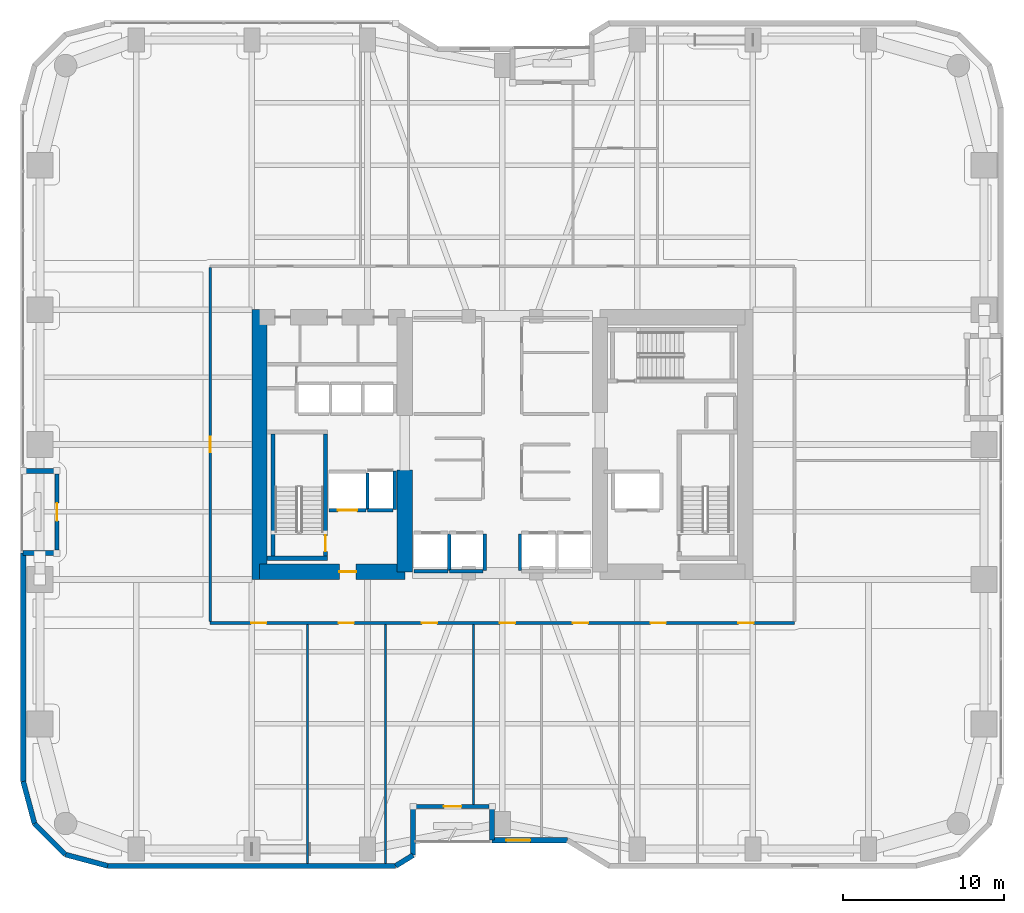
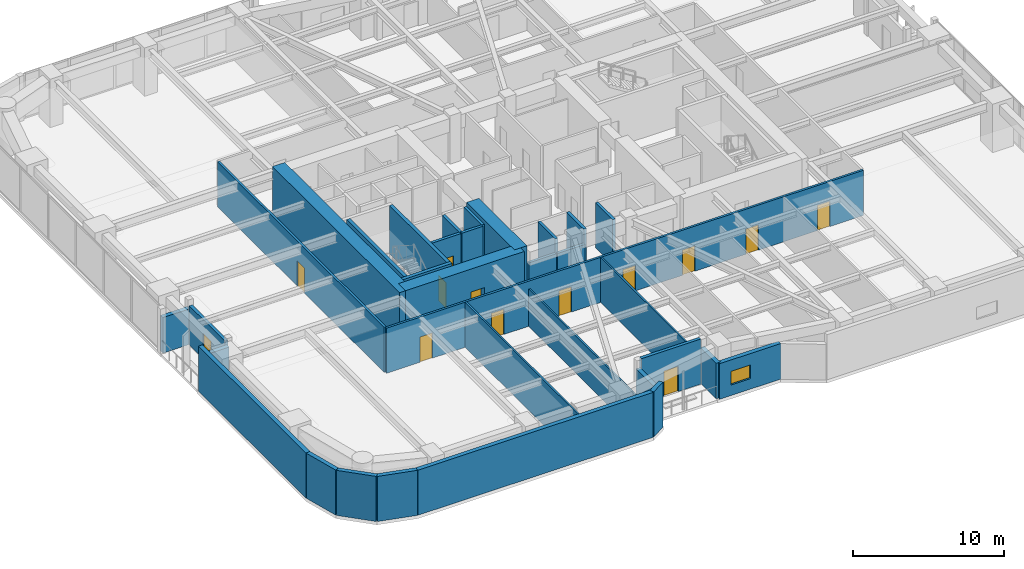
# One storey, part 22 of 29: 33 walls, 13 doors, 1 window, 14 openings.
"""IFC4 building model written with IfcOpenShell, lengths in metres."""

from ifc_helpers import new_model, si_unit, direction, frame, frame_2d, origin, place, context, subcontext, project, spatial, rectangle, extrude, material, layer, layer_set, type_object, element, fill, save


model = new_model("IFC4")

# Units and contexts
model_context = context("Model", 3, precision=1e-05, world=origin(), true_north=direction((0.0, 1.0)))
body_context = subcontext(model_context, "Body", "Model", "MODEL_VIEW")
ifc_project = project(units=[si_unit("LENGTHUNIT", "METRE"), si_unit("AREAUNIT", "SQUARE_METRE"), si_unit("VOLUMEUNIT", "CUBIC_METRE"), si_unit("PLANEANGLEUNIT", "RADIAN"), si_unit("MASSUNIT", "GRAM", prefix="KILO")], contexts=[model_context])

# Site, building, storey
site_placement = place(None, origin())
site = spatial("IfcSite", under=ifc_project, at=site_placement, CompositionType="ELEMENT")
building_placement = place(site_placement, origin())
building = spatial("IfcBuilding", under=site, at=building_placement, Name="Kiyonajd Concourse Tower", CompositionType="ELEMENT")
storey_placement = place(building_placement, frame((0.0, 0.0, 45.0)))
storey = spatial("IfcBuildingStorey", under=building, at=storey_placement, Name="L12", CompositionType="ELEMENT", Elevation=45.0)

# Walls
ifc_material_1 = material(Name="Concrete C80/95", Category="concrete")
ifc_layer_1 = layer(ifc_material_1, 0.949951171875)
ifc_layer_set_1 = layer_set([ifc_layer_1], Name="Concrete C80/95")
wall_type_1 = type_object("IfcWallType", Name="WL-CORE-950", PredefinedType="SHEAR", material=ifc_layer_set_1)
wall_1_placement = place(storey_placement, frame((32.875, 27.60009765625, 0.0), z_axis=(0.0, 0.0, 1.0), x_axis=(0.0, 1.0, 0.0)))
element("IfcWall", 1, at=wall_1_placement, inside=storey, type_object=wall_type_1, Name="L12 West Core Outer Shear Wall", PredefinedType="SHEAR", context=body_context, shape_type="SweptSolid", body=[
    extrude(rectangle(XDim=16.7998046875, YDim=0.949951171875, at=frame_2d((8.39990234375, 0.0))), origin(), (0.0, 0.0, 1.0), 3.89990234375),
])
wall_2_placement = place(storey_placement, frame((41.925048828125, 28.074951171875, 0.0), z_axis=(0.0, 0.0, 1.0), x_axis=(0.0, 1.0, 0.0)))
element("IfcWall", 2, at=wall_2_placement, inside=storey, type_object=wall_type_1, Name="L12 West Core Inner South Shear Wall", PredefinedType="SHEAR", context=body_context, shape_type="SweptSolid", body=[
    extrude(rectangle(XDim=6.324951171875, YDim=0.949951171875, at=frame_2d((3.16259765625, 0.0))), origin(), (0.0, 0.0, 1.0), 3.89990234375),
])

# Wall, opening, door
wall_3_placement = place(storey_placement, frame((32.875, 28.074951171875, 0.0), z_axis=(0.0, 0.0, 1.0), x_axis=(1.0, 0.0, 0.0)))
wall_3 = element("IfcWall", 3, at=wall_3_placement, inside=storey, type_object=wall_type_1, Name="L12 West Core South Shear Wall", PredefinedType="SHEAR", context=body_context, shape_type="SweptSolid", body=[
    extrude(rectangle(XDim=9.050048828125, YDim=0.949951171875, at=frame_2d((4.52490234375, 0.0))), origin(), (0.0, 0.0, 1.0), 3.89990234375),
])
opening_1_placement = place(wall_3_placement, frame((4.97509765625, 0.0, 0.0)))
opening_1 = element("IfcOpeningElement", 4, at=opening_1_placement, cuts=wall_3, Name="Opening DF5", PredefinedType="OPENING", context=body_context, shape_type="SweptSolid", body=[
    extrude(rectangle(XDim=1.050048828125, YDim=2.0400390625, at=frame_2d((0.52490234375, 1.02001953125))), frame((0.0, 0.48486328125, 0.0), z_axis=(0.0, -1.0, 0.0), x_axis=(1.0, 0.0, 0.0)), (0.0, 0.0, 1.0), 0.969970703125),
])
ifc_material_2 = material(Name="Brushed Stainless Steel Cab Assembly", Category="steel")
door_type_1 = type_object("IfcDoorType", Name="DR-FD45-1050", OperationType="NOTDEFINED", PredefinedType="DOOR", material=ifc_material_2)
door_1_placement = place(opening_1_placement, origin())
door_1 = element("IfcDoor", 5, at=door_1_placement, inside=storey, type_object=door_type_1, Name="L12 Firefighting Lift Lobby W Smoke Door", OperationType="SINGLE_SWING_LEFT", OverallHeight=2.0400390625, OverallWidth=1.050048828125, PredefinedType="DOOR", context=body_context, shape_type="SweptSolid", body=[
    extrude(rectangle(XDim=1.050048828125, YDim=2.0400390625, at=frame_2d((0.52490234375, 1.02001953125))), frame((0.0, 0.02490234375, 0.0), z_axis=(0.0, -1.0, 0.0), x_axis=(1.0, 0.0, 0.0)), (0.0, 0.0, 1.0), 0.050048828125),
])
fill(opening_1, door_1)

# Walls
ifc_material_3 = material(Name="Precast concrete C50/60", Category="concrete")
ifc_layer_2 = layer(ifc_material_3, 0.320068359375)
ifc_layer_set_2 = layer_set([ifc_layer_2], Name="Precast concrete C50/60")
wall_type_2 = type_object("IfcWallType", Name="WL-EXT-320", PredefinedType="SOLIDWALL", material=ifc_layer_set_2)
wall_4_placement = place(storey_placement, frame((18.866455078125, 12.3828125, 0.0), z_axis=(0.0, 0.0, 1.0), x_axis=(-0.25869736047, 0.965958423373, 0.0)))
element("IfcWall", 6, at=wall_4_placement, inside=storey, type_object=wall_type_2, Name="L12 Exterior Concrete Frame Wall 00", PredefinedType="SOLIDWALL", context=body_context, shape_type="SweptSolid", body=[
    extrude(rectangle(XDim=2.731201171875, YDim=0.320068359375, at=frame_2d((1.36572265625, 0.0))), origin(), (0.0, 0.0, 1.0), 3.639892578125),
])
wall_5_placement = place(storey_placement, frame((18.159912109375, 15.02099609375, 0.0), z_axis=(0.0, 0.0, 1.0), x_axis=(0.0, 1.0, 0.0)))
element("IfcWall", 7, at=wall_5_placement, inside=storey, type_object=wall_type_2, Name="L12 Exterior Concrete Frame Wall 01", PredefinedType="SOLIDWALL", context=body_context, shape_type="SweptSolid", body=[
    extrude(rectangle(XDim=14.218994140625, YDim=0.320068359375, at=frame_2d((7.109375, 0.0))), origin(), (0.0, 0.0, 1.0), 3.639892578125),
])
for number, where, z_axis, x_axis, name in (
    (8, (18.159912109375, 29.239990234375, 0.0), (0.0, 0.0, 1.0), (1.0, 0.0, 0.0), "L12 Exterior Concrete Frame Wall 02"),
    (9, (20.260009765625, 34.360107421875, 0.0), (0.0, 0.0, 1.0), (-1.0, 0.0, 0.0), "L12 Exterior Concrete Frame Wall 04"),
):
    element("IfcWall", number, at=place(storey_placement, frame(where, z_axis=z_axis, x_axis=x_axis)), inside=storey, type_object=wall_type_2, Name=name, PredefinedType="SOLIDWALL", context=body_context, shape_type="SweptSolid", body=[
        extrude(rectangle(XDim=2.10009765625, YDim=0.320068359375, at=frame_2d((1.050048828125, 0.0))), origin(), (0.0, 0.0, 1.0), 2.875),
    ])

# Wall, opening, window
wall_6_placement = place(storey_placement, frame((52.04541015625, 11.360107421875, 0.0), z_axis=(0.0, 0.0, 1.0), x_axis=(-1.0, 0.0, 0.0)))
wall_6 = element("IfcWall", 10, at=wall_6_placement, inside=storey, type_object=wall_type_2, Name="L12 Exterior Concrete Frame Wall 30", PredefinedType="SOLIDWALL", context=body_context, shape_type="SweptSolid", body=[
    extrude(rectangle(XDim=4.685302734375, YDim=0.320068359375, at=frame_2d((2.3427734375, 0.0))), origin(), (0.0, 0.0, 1.0), 2.875),
])
opening_2_placement = place(wall_6_placement, frame((2.304931640625, 0.0, 0.85009765625)))
opening_2 = element("IfcOpeningElement", 11, at=opening_2_placement, cuts=wall_6, Name="Opening WN2", PredefinedType="OPENING", context=body_context, shape_type="SweptSolid", body=[
    extrude(rectangle(XDim=1.5, YDim=1.10009765625, at=frame_2d((0.75, 0.550048828125))), frame((0.0, 0.169921875, 0.0), z_axis=(0.0, -1.0, 0.0), x_axis=(1.0, 0.0, 0.0)), (0.0, 0.0, 1.0), 0.340087890625),
])
ifc_material_4 = material(Name="Double Low-E Insulated Glass", Category="glass")
window_type = type_object("IfcWindowType", Name="WN-VIS-1500x1100", PartitioningType="SINGLE_PANEL", PredefinedType="WINDOW", material=ifc_material_4)
window_placement = place(opening_2_placement, origin())
window = element("IfcWindow", 12, at=window_placement, inside=storey, type_object=window_type, Name="L12 Modular Facade Vision Window 30", OverallHeight=1.10009765625, OverallWidth=1.5, PartitioningType="SINGLE_PANEL", PredefinedType="WINDOW", context=body_context, shape_type="SweptSolid", body=[
    extrude(rectangle(XDim=1.5, YDim=1.10009765625, at=frame_2d((0.75, 0.550048828125))), frame((0.0, 0.030029296875, 0.0), z_axis=(0.0, -1.0, 0.0), x_axis=(1.0, 0.0, 0.0)), (0.0, 0.0, 1.0), 0.06005859375),
])
fill(opening_2, window)

# Walls
wall_7_placement = place(storey_placement, frame((47.360107421875, 11.360107421875, 0.0), z_axis=(0.0, 0.0, 1.0), x_axis=(0.0, 1.0, 0.0)))
element("IfcWall", 13, at=wall_7_placement, inside=storey, type_object=wall_type_2, Name="L12 Exterior Concrete Frame Wall 31", PredefinedType="SOLIDWALL", context=body_context, shape_type="SweptSolid", body=[
    extrude(rectangle(XDim=2.099853515625, YDim=0.320068359375, at=frame_2d((1.0498046875, 0.0))), origin(), (0.0, 0.0, 1.0), 2.875),
])
wall_8_placement = place(storey_placement, frame((42.43994140625, 13.4599609375, 0.0), z_axis=(0.0, 0.0, 1.0), x_axis=(0.0, -1.0, 0.0)))
element("IfcWall", 14, at=wall_8_placement, inside=storey, type_object=wall_type_2, Name="L12 Exterior Concrete Frame Wall 33", PredefinedType="SOLIDWALL", context=body_context, shape_type="SweptSolid", body=[
    extrude(rectangle(XDim=3.032470703125, YDim=0.320068359375, at=frame_2d((1.51611328125, 0.0))), origin(), (0.0, 0.0, 1.0), 2.875),
])
wall_9_placement = place(storey_placement, frame((42.43994140625, 10.427490234375, 0.0), z_axis=(0.0, 0.0, 1.0), x_axis=(-0.851776724646, -0.523904964045, 0.0)))
element("IfcWall", 15, at=wall_9_placement, inside=storey, type_object=wall_type_2, Name="L12 Exterior Concrete Frame Wall 34", PredefinedType="SOLIDWALL", context=body_context, shape_type="SweptSolid", body=[
    extrude(rectangle(XDim=1.274169921875, YDim=0.320068359375, at=frame_2d((0.63720703125, 0.0))), origin(), (0.0, 0.0, 1.0), 3.639892578125),
])
wall_10_placement = place(storey_placement, frame((41.354736328125, 9.760009765625, 0.0), z_axis=(0.0, 0.0, 1.0), x_axis=(-1.0, 0.0, 0.0)))
element("IfcWall", 16, at=wall_10_placement, inside=storey, type_object=wall_type_2, Name="L12 Exterior Concrete Frame Wall 35", PredefinedType="SOLIDWALL", context=body_context, shape_type="SweptSolid", body=[
    extrude(rectangle(XDim=17.93359375, YDim=0.320068359375, at=frame_2d((8.966796875, 0.0))), origin(), (0.0, 0.0, 1.0), 3.639892578125),
])
wall_11_placement = place(storey_placement, frame((23.421142578125, 9.760009765625, 0.0), z_axis=(0.0, 0.0, 1.0), x_axis=(-0.965964405026, 0.25867502435, 0.0)))
element("IfcWall", 17, at=wall_11_placement, inside=storey, type_object=wall_type_2, Name="L12 Exterior Concrete Frame Wall 36", PredefinedType="SOLIDWALL", context=body_context, shape_type="SweptSolid", body=[
    extrude(rectangle(XDim=2.7314453125, YDim=0.320068359375, at=frame_2d((1.36572265625, 0.0))), origin(), (0.0, 0.0, 1.0), 3.639892578125),
])
wall_12_placement = place(storey_placement, frame((20.78271484375, 10.466552734375, 0.0), z_axis=(0.0, 0.0, 1.0), x_axis=(-0.707106781187, 0.707106781187, 0.0)))
element("IfcWall", 18, at=wall_12_placement, inside=storey, type_object=wall_type_2, Name="L12 Exterior Concrete Frame Wall 37", PredefinedType="SOLIDWALL", context=body_context, shape_type="SweptSolid", body=[
    extrude(rectangle(XDim=2.7099609375, YDim=0.320068359375, at=frame_2d((1.35498046875, 0.0))), origin(), (0.0, 0.0, 1.0), 3.639892578125),
])

# Wall, opening, door
ifc_layer_3 = layer(ifc_material_3, 0.239990234375)
ifc_layer_set_3 = layer_set([ifc_layer_3], Name="Precast concrete C50/60")
wall_type_3 = type_object("IfcWallType", Name="WL-LOG-240", PredefinedType="SOLIDWALL", material=ifc_layer_set_3)
wall_13_placement = place(storey_placement, frame((20.260009765625, 29.43505859375, 0.0), z_axis=(0.0, 0.0, 1.0), x_axis=(0.0, 1.0, 0.0)))
wall_13 = element("IfcWall", 19, at=wall_13_placement, inside=storey, type_object=wall_type_3, Name="L12 Recessed Loggia Thermal Wall LOG-W", PredefinedType="SOLIDWALL", context=body_context, shape_type="SweptSolid", body=[
    extrude(rectangle(XDim=4.72998046875, YDim=0.239990234375, at=frame_2d((2.364990234375, 0.0))), origin(), (0.0, 0.0, 1.0), 3.162109375),
])
opening_3_placement = place(wall_13_placement, frame((1.81494140625, 0.0, 0.0)))
opening_3 = element("IfcOpeningElement", 20, at=opening_3_placement, cuts=wall_13, Name="Opening DL2", PredefinedType="OPENING", context=body_context, shape_type="SweptSolid", body=[
    extrude(rectangle(XDim=1.10009765625, YDim=2.0400390625, at=frame_2d((0.550048828125, 1.02001953125))), frame((0.0, 0.1298828125, 0.0), z_axis=(0.0, -1.0, 0.0), x_axis=(1.0, 0.0, 0.0)), (0.0, 0.0, 1.0), 0.260009765625),
])
ifc_material_5 = material(Name="Thermally Broken Anodised Aluminium", Category="aluminium")
door_type_2 = type_object("IfcDoorType", Name="DR-LOG-1100", OperationType="NOTDEFINED", PredefinedType="DOOR", material=ifc_material_5)
door_2_placement = place(opening_3_placement, origin())
door_2 = element("IfcDoor", 21, at=door_2_placement, inside=storey, type_object=door_type_2, Name="L12 Engawa Loggia Access Door LOG-W", OperationType="SINGLE_SWING_LEFT", OverallHeight=2.0400390625, OverallWidth=1.10009765625, PredefinedType="DOOR", context=body_context, shape_type="SweptSolid", body=[
    extrude(rectangle(XDim=1.10009765625, YDim=2.0400390625, at=frame_2d((0.550048828125, 1.02001953125))), frame((0.0, 0.02490234375, 0.0), z_axis=(0.0, -1.0, 0.0), x_axis=(1.0, 0.0, 0.0)), (0.0, 0.0, 1.0), 0.050048828125),
])
fill(opening_3, door_2)

wall_14_placement = place(storey_placement, frame((47.1650390625, 13.4599609375, 0.0), z_axis=(0.0, 0.0, 1.0), x_axis=(-1.0, 0.0, 0.0)))
wall_14 = element("IfcWall", 22, at=wall_14_placement, inside=storey, type_object=wall_type_3, Name="L12 Recessed Loggia Thermal Wall LOG-S", PredefinedType="SOLIDWALL", context=body_context, shape_type="SweptSolid", body=[
    extrude(rectangle(XDim=4.530029296875, YDim=0.239990234375, at=frame_2d((2.26513671875, 0.0))), origin(), (0.0, 0.0, 1.0), 3.639892578125),
])
opening_4_placement = place(wall_14_placement, frame((1.715087890625, 0.0, 0.0)))
opening_4 = element("IfcOpeningElement", 23, at=opening_4_placement, cuts=wall_14, Name="Opening DL2", PredefinedType="OPENING", context=body_context, shape_type="SweptSolid", body=[
    extrude(rectangle(XDim=1.10009765625, YDim=2.0400390625, at=frame_2d((0.550048828125, 1.02001953125))), frame((0.0, 0.1298828125, 0.0), z_axis=(0.0, -1.0, 0.0), x_axis=(1.0, 0.0, 0.0)), (0.0, 0.0, 1.0), 0.260009765625),
])
door_3_placement = place(opening_4_placement, origin())
door_3 = element("IfcDoor", 24, at=door_3_placement, inside=storey, type_object=door_type_2, Name="L12 Engawa Loggia Access Door LOG-S", OperationType="SINGLE_SWING_RIGHT", OverallHeight=2.0400390625, OverallWidth=1.10009765625, PredefinedType="DOOR", context=body_context, shape_type="SweptSolid", body=[
    extrude(rectangle(XDim=1.10009765625, YDim=2.0400390625, at=frame_2d((0.550048828125, 1.02001953125))), frame((0.0, 0.02490234375, 0.0), z_axis=(0.0, -1.0, 0.0), x_axis=(1.0, 0.0, 0.0)), (0.0, 0.0, 1.0), 0.050048828125),
])
fill(opening_4, door_3)

# Walls
ifc_material_6 = material(Name="Gypsum Board on Cold-Formed Steel Stud", Category="steel")
ifc_layer_4 = layer(ifc_material_6, 0.125)
ifc_layer_set_4 = layer_set([ifc_layer_4], Name="Gypsum Board on Cold-Formed Steel Stud")
wall_type_4 = type_object("IfcWallType", Name="WL-PART-125", PredefinedType="PARTITIONING", material=ifc_layer_set_4)
wall_15_placement = place(storey_placement, frame((35.860107421875, 9.9150390625, 0.0), z_axis=(0.0, 0.0, 1.0), x_axis=(0.0, 1.0, 0.0)))
element("IfcWall", 25, at=wall_15_placement, inside=storey, type_object=wall_type_4, Name="L12 Interior Partition Wall", PredefinedType="PARTITIONING", context=body_context, shape_type="SweptSolid", body=[
    extrude(rectangle(XDim=14.887939453125, YDim=0.125, at=frame_2d((7.44384765625, 0.0))), origin(), (0.0, 0.0, 1.0), 3.639892578125),
])
wall_16_placement = place(storey_placement, frame((40.7099609375, 9.9150390625, 0.0), z_axis=(0.0, 0.0, 1.0), x_axis=(0.0, 1.0, 0.0)))
element("IfcWall", 26, at=wall_16_placement, inside=storey, type_object=wall_type_4, Name="L12 Interior Partition Wall", PredefinedType="PARTITIONING", context=body_context, shape_type="SweptSolid", body=[
    extrude(rectangle(XDim=14.887939453125, YDim=0.125, at=frame_2d((7.44384765625, 0.0))), origin(), (0.0, 0.0, 1.0), 3.0029296875),
])
wall_17_placement = place(storey_placement, frame((46.199951171875, 13.574951171875, 0.0), z_axis=(0.0, 0.0, 1.0), x_axis=(0.0, 1.0, 0.0)))
element("IfcWall", 27, at=wall_17_placement, inside=storey, type_object=wall_type_4, Name="L12 Interior Partition Wall", PredefinedType="PARTITIONING", context=body_context, shape_type="SweptSolid", body=[
    extrude(rectangle(XDim=11.22802734375, YDim=0.125, at=frame_2d((5.614013671875, 0.0))), origin(), (0.0, 0.0, 1.0), 3.639892578125),
])

# Wall, opening, door
ifc_layer_5 = layer(ifc_material_6, 0.2099609375)
ifc_layer_set_5 = layer_set([ifc_layer_5], Name="Gypsum Board on Cold-Formed Steel Stud")
wall_type_5 = type_object("IfcWallType", Name="WL-SHAFT-210", PredefinedType="PARTITIONING", material=ifc_layer_set_5)
wall_18_placement = place(storey_placement, frame((37.199951171875, 31.89990234375, 0.0), z_axis=(0.0, 0.0, 1.0), x_axis=(1.0, 0.0, 0.0)))
wall_18 = element("IfcWall", 28, at=wall_18_placement, inside=storey, type_object=wall_type_5, Name="L12 Shaft Enclosure Wall", PredefinedType="PARTITIONING", context=body_context, shape_type="SweptSolid", body=[
    extrude(rectangle(XDim=2.300048828125, YDim=0.2099609375, at=frame_2d((1.14990234375, 0.0))), origin(), (0.0, 0.0, 1.0), 3.639892578125),
])
opening_5_placement = place(wall_18_placement, frame((0.550048828125, 0.0, 0.0)))
opening_5 = element("IfcOpeningElement", 29, at=opening_5_placement, cuts=wall_18, Name="Opening LD2", PredefinedType="OPENING", context=body_context, shape_type="SweptSolid", body=[
    extrude(rectangle(XDim=1.199951171875, YDim=2.0400390625, at=frame_2d((0.60009765625, 1.02001953125))), frame((0.0, 0.114990234375, 0.0), z_axis=(0.0, -1.0, 0.0), x_axis=(1.0, 0.0, 0.0)), (0.0, 0.0, 1.0), 0.22998046875),
])
door_type_3 = type_object("IfcDoorType", Name="DR-LD-1200", OperationType="DOUBLE_DOOR_SLIDING", PredefinedType="DOOR", material=ifc_material_2)
door_4_placement = place(opening_5_placement, origin())
door_4 = element("IfcDoor", 30, at=door_4_placement, inside=storey, type_object=door_type_3, Name="L12 Lift FFL1 Sliding Landing Door", OperationType="DOUBLE_DOOR_SLIDING", OverallHeight=2.0400390625, OverallWidth=1.199951171875, PredefinedType="DOOR", context=body_context, shape_type="SweptSolid", body=[
    extrude(rectangle(XDim=1.199951171875, YDim=2.0400390625, at=frame_2d((0.60009765625, 1.02001953125))), frame((0.0, 0.02490234375, 0.0), z_axis=(0.0, -1.0, 0.0), x_axis=(1.0, 0.0, 0.0)), (0.0, 0.0, 1.0), 0.050048828125),
])
fill(opening_5, door_4)

# Walls
wall_19_placement = place(storey_placement, frame((39.60009765625, 31.9599609375, 0.0), z_axis=(0.0, 0.0, 1.0), x_axis=(0.0, 1.0, 0.0)))
element("IfcWall", 31, at=wall_19_placement, inside=storey, type_object=wall_type_5, Name="L12 Shaft Enclosure Wall", PredefinedType="PARTITIONING", context=body_context, shape_type="SweptSolid", body=[
    extrude(rectangle(XDim=2.280029296875, YDim=0.2099609375, at=frame_2d((1.14013671875, 0.0))), origin(), (0.0, 0.0, 1.0), 3.639892578125),
])
wall_20_placement = place(storey_placement, frame((39.60009765625, 31.89990234375, 0.0), z_axis=(0.0, 0.0, 1.0), x_axis=(1.0, 0.0, 0.0)))
element("IfcWall", 32, at=wall_20_placement, inside=storey, type_object=wall_type_5, Name="L12 Shaft Enclosure Wall", PredefinedType="PARTITIONING", context=body_context, shape_type="SweptSolid", body=[
    extrude(rectangle(XDim=1.599853515625, YDim=0.2099609375, at=frame_2d((0.7998046875, 0.0))), origin(), (0.0, 0.0, 1.0), 3.639892578125),
])
wall_21_placement = place(storey_placement, frame((41.300048828125, 31.9599609375, 0.0), z_axis=(0.0, 0.0, 1.0), x_axis=(0.0, 1.0, 0.0)))
element("IfcWall", 33, at=wall_21_placement, inside=storey, type_object=wall_type_5, Name="L12 Shaft Enclosure Wall", PredefinedType="PARTITIONING", context=body_context, shape_type="SweptSolid", body=[
    extrude(rectangle(XDim=2.380126953125, YDim=0.2099609375, at=frame_2d((1.18994140625, 0.0))), origin(), (0.0, 0.0, 1.0), 3.639892578125),
])
wall_22_placement = place(storey_placement, frame((42.5, 28.10009765625, 0.0), z_axis=(0.0, 0.0, 1.0), x_axis=(1.0, 0.0, 0.0)))
element("IfcWall", 34, at=wall_22_placement, inside=storey, type_object=wall_type_5, Name="L12 Shaft Enclosure Wall", PredefinedType="PARTITIONING", context=body_context, shape_type="SweptSolid", body=[
    extrude(rectangle(XDim=2.10009765625, YDim=0.2099609375, at=frame_2d((1.050048828125, 0.0))), origin(), (0.0, 0.0, 1.0), 2.52490234375),
])
wall_23_placement = place(storey_placement, frame((44.699951171875, 28.159912109375, 0.0), z_axis=(0.0, 0.0, 1.0), x_axis=(0.0, 1.0, 0.0)))
element("IfcWall", 35, at=wall_23_placement, inside=storey, type_object=wall_type_5, Name="L12 Shaft Enclosure Wall", PredefinedType="PARTITIONING", context=body_context, shape_type="SweptSolid", body=[
    extrude(rectangle(XDim=2.280029296875, YDim=0.2099609375, at=frame_2d((1.14013671875, 0.0))), origin(), (0.0, 0.0, 1.0), 3.639892578125),
])
wall_24_placement = place(storey_placement, frame((44.699951171875, 28.10009765625, 0.0), z_axis=(0.0, 0.0, 1.0), x_axis=(1.0, 0.0, 0.0)))
element("IfcWall", 36, at=wall_24_placement, inside=storey, type_object=wall_type_5, Name="L12 Shaft Enclosure Wall", PredefinedType="PARTITIONING", context=body_context, shape_type="SweptSolid", body=[
    extrude(rectangle(XDim=2.10009765625, YDim=0.2099609375, at=frame_2d((1.050048828125, 0.0))), origin(), (0.0, 0.0, 1.0), 2.52490234375),
])
for number, where, z_axis, x_axis, name in (
    (37, (46.89990234375, 28.159912109375, 0.0), (0.0, 0.0, 1.0), (0.0, 1.0, 0.0), "L12 Shaft Enclosure Wall"),
    (38, (49.10009765625, 28.159912109375, 0.0), (0.0, 0.0, 1.0), (0.0, 1.0, 0.0), "L12 Shaft Enclosure Wall"),
):
    element("IfcWall", number, at=place(storey_placement, frame(where, z_axis=z_axis, x_axis=x_axis)), inside=storey, type_object=wall_type_5, Name=name, PredefinedType="PARTITIONING", context=body_context, shape_type="SweptSolid", body=[
        extrude(rectangle(XDim=2.280029296875, YDim=0.2099609375, at=frame_2d((1.14013671875, 0.0))), origin(), (0.0, 0.0, 1.0), 3.639892578125),
    ])

# Wall, openings, doors
ifc_layer_6 = layer(ifc_material_6, 0.169921875)
ifc_layer_set_6 = layer_set([ifc_layer_6], Name="Gypsum Board on Cold-Formed Steel Stud")
wall_type_6 = type_object("IfcWallType", Name="WL-SMK-170", PredefinedType="PARTITIONING", material=ifc_layer_set_6)
wall_25_placement = place(storey_placement, frame((29.800048828125, 24.889892578125, 0.0), z_axis=(0.0, 0.0, 1.0), x_axis=(1.0, 0.0, 0.0)))
wall_25 = element("IfcWall", 39, at=wall_25_placement, inside=storey, type_object=wall_type_6, Name="L12 Interior Partition Wall", PredefinedType="PARTITIONING", context=body_context, shape_type="SweptSolid", body=[
    extrude(rectangle(XDim=36.39990234375, YDim=0.169921875, at=frame_2d((18.199951171875, 0.0))), origin(), (0.0, 0.0, 1.0), 3.639892578125),
])
opening_6_placement = place(wall_25_placement, frame((2.554931640625, 0.0, 0.0)))
opening_6 = element("IfcOpeningElement", 40, at=opening_6_placement, cuts=wall_25, Name="Opening DI1", PredefinedType="OPENING", context=body_context, shape_type="SweptSolid", body=[
    extrude(rectangle(XDim=0.949951171875, YDim=2.0400390625, at=frame_2d((0.47509765625, 1.02001953125))), frame((0.0, 0.094970703125, 0.0), z_axis=(0.0, -1.0, 0.0), x_axis=(1.0, 0.0, 0.0)), (0.0, 0.0, 1.0), 0.18994140625),
])
opening_7_placement = place(wall_25_placement, frame((8.010009765625, 0.0, 0.0)))
opening_7 = element("IfcOpeningElement", 41, at=opening_7_placement, cuts=wall_25, Name="Opening DI1", PredefinedType="OPENING", context=body_context, shape_type="SweptSolid", body=[
    extrude(rectangle(XDim=0.949951171875, YDim=2.0400390625, at=frame_2d((0.47509765625, 1.02001953125))), frame((0.0, 0.094970703125, 0.0), z_axis=(0.0, -1.0, 0.0), x_axis=(1.0, 0.0, 0.0)), (0.0, 0.0, 1.0), 0.18994140625),
])
opening_8_placement = place(wall_25_placement, frame((13.179931640625, 0.0, 0.0)))
opening_8 = element("IfcOpeningElement", 42, at=opening_8_placement, cuts=wall_25, Name="Opening DI1", PredefinedType="OPENING", context=body_context, shape_type="SweptSolid", body=[
    extrude(rectangle(XDim=0.949951171875, YDim=2.0400390625, at=frame_2d((0.47509765625, 1.02001953125))), frame((0.0, 0.094970703125, 0.0), z_axis=(0.0, -1.0, 0.0), x_axis=(1.0, 0.0, 0.0)), (0.0, 0.0, 1.0), 0.18994140625),
])
opening_9_placement = place(wall_25_placement, frame((18.0400390625, 0.0, 0.0)))
opening_9 = element("IfcOpeningElement", 43, at=opening_9_placement, cuts=wall_25, Name="Opening DI1", PredefinedType="OPENING", context=body_context, shape_type="SweptSolid", body=[
    extrude(rectangle(XDim=0.949951171875, YDim=2.0400390625, at=frame_2d((0.47509765625, 1.02001953125))), frame((0.0, 0.094970703125, 0.0), z_axis=(0.0, -1.0, 0.0), x_axis=(1.0, 0.0, 0.0)), (0.0, 0.0, 1.0), 0.18994140625),
])
opening_10_placement = place(wall_25_placement, frame((22.5849609375, 0.0, 0.0)))
opening_10 = element("IfcOpeningElement", 44, at=opening_10_placement, cuts=wall_25, Name="Opening DI1", PredefinedType="OPENING", context=body_context, shape_type="SweptSolid", body=[
    extrude(rectangle(XDim=0.949951171875, YDim=2.0400390625, at=frame_2d((0.47509765625, 1.02001953125))), frame((0.0, 0.094970703125, 0.0), z_axis=(0.0, -1.0, 0.0), x_axis=(1.0, 0.0, 0.0)), (0.0, 0.0, 1.0), 0.18994140625),
])
opening_11_placement = place(wall_25_placement, frame((27.43994140625, 0.0, 0.0)))
opening_11 = element("IfcOpeningElement", 45, at=opening_11_placement, cuts=wall_25, Name="Opening DI1", PredefinedType="OPENING", context=body_context, shape_type="SweptSolid", body=[
    extrude(rectangle(XDim=0.949951171875, YDim=2.0400390625, at=frame_2d((0.47509765625, 1.02001953125))), frame((0.0, 0.094970703125, 0.0), z_axis=(0.0, -1.0, 0.0), x_axis=(1.0, 0.0, 0.0)), (0.0, 0.0, 1.0), 0.18994140625),
])
opening_12_placement = place(wall_25_placement, frame((32.89501953125, 0.0, 0.0)))
opening_12 = element("IfcOpeningElement", 46, at=opening_12_placement, cuts=wall_25, Name="Opening DI1", PredefinedType="OPENING", context=body_context, shape_type="SweptSolid", body=[
    extrude(rectangle(XDim=0.949951171875, YDim=2.0400390625, at=frame_2d((0.47509765625, 1.02001953125))), frame((0.0, 0.094970703125, 0.0), z_axis=(0.0, -1.0, 0.0), x_axis=(1.0, 0.0, 0.0)), (0.0, 0.0, 1.0), 0.18994140625),
])
ifc_material_7 = material(Name="Natural Oak Acoustic Timber Veneer", Category="wood")
door_type_4 = type_object("IfcDoorType", Name="DR-INT-950", OperationType="NOTDEFINED", PredefinedType="DOOR", material=ifc_material_7)
door_5_placement = place(opening_6_placement, origin())
door_5 = element("IfcDoor", 47, at=door_5_placement, inside=storey, type_object=door_type_4, Name="L12 Interior Door", OperationType="SINGLE_SWING_LEFT", OverallHeight=2.0400390625, OverallWidth=0.949951171875, PredefinedType="DOOR", context=body_context, shape_type="SweptSolid", body=[
    extrude(rectangle(XDim=0.949951171875, YDim=2.0400390625, at=frame_2d((0.47509765625, 1.02001953125))), frame((0.0, 0.02490234375, 0.0), z_axis=(0.0, -1.0, 0.0), x_axis=(1.0, 0.0, 0.0)), (0.0, 0.0, 1.0), 0.050048828125),
])
fill(opening_6, door_5)
door_6_placement = place(opening_7_placement, origin())
door_6 = element("IfcDoor", 48, at=door_6_placement, inside=storey, type_object=door_type_4, Name="L12 Interior Door", OperationType="SINGLE_SWING_RIGHT", OverallHeight=2.0400390625, OverallWidth=0.949951171875, PredefinedType="DOOR", context=body_context, shape_type="SweptSolid", body=[
    extrude(rectangle(XDim=0.949951171875, YDim=2.0400390625, at=frame_2d((0.47509765625, 1.02001953125))), frame((0.0, 0.02490234375, 0.0), z_axis=(0.0, -1.0, 0.0), x_axis=(1.0, 0.0, 0.0)), (0.0, 0.0, 1.0), 0.050048828125),
])
fill(opening_7, door_6)
door_7_placement = place(opening_8_placement, origin())
door_7 = element("IfcDoor", 49, at=door_7_placement, inside=storey, type_object=door_type_4, Name="L12 Interior Door", OperationType="SINGLE_SWING_LEFT", OverallHeight=2.0400390625, OverallWidth=0.949951171875, PredefinedType="DOOR", context=body_context, shape_type="SweptSolid", body=[
    extrude(rectangle(XDim=0.949951171875, YDim=2.0400390625, at=frame_2d((0.47509765625, 1.02001953125))), frame((0.0, 0.02490234375, 0.0), z_axis=(0.0, -1.0, 0.0), x_axis=(1.0, 0.0, 0.0)), (0.0, 0.0, 1.0), 0.050048828125),
])
fill(opening_8, door_7)
door_8_placement = place(opening_9_placement, origin())
door_8 = element("IfcDoor", 50, at=door_8_placement, inside=storey, type_object=door_type_4, Name="L12 Interior Door", OperationType="SINGLE_SWING_RIGHT", OverallHeight=2.0400390625, OverallWidth=0.949951171875, PredefinedType="DOOR", context=body_context, shape_type="SweptSolid", body=[
    extrude(rectangle(XDim=0.949951171875, YDim=2.0400390625, at=frame_2d((0.47509765625, 1.02001953125))), frame((0.0, 0.02490234375, 0.0), z_axis=(0.0, -1.0, 0.0), x_axis=(1.0, 0.0, 0.0)), (0.0, 0.0, 1.0), 0.050048828125),
])
fill(opening_9, door_8)
door_9_placement = place(opening_10_placement, origin())
door_9 = element("IfcDoor", 51, at=door_9_placement, inside=storey, type_object=door_type_4, Name="L12 Interior Door", OperationType="SINGLE_SWING_LEFT", OverallHeight=2.0400390625, OverallWidth=0.949951171875, PredefinedType="DOOR", context=body_context, shape_type="SweptSolid", body=[
    extrude(rectangle(XDim=0.949951171875, YDim=2.0400390625, at=frame_2d((0.47509765625, 1.02001953125))), frame((0.0, 0.02490234375, 0.0), z_axis=(0.0, -1.0, 0.0), x_axis=(1.0, 0.0, 0.0)), (0.0, 0.0, 1.0), 0.050048828125),
])
fill(opening_10, door_9)
door_10_placement = place(opening_11_placement, origin())
door_10 = element("IfcDoor", 52, at=door_10_placement, inside=storey, type_object=door_type_4, Name="L12 Interior Door", OperationType="SINGLE_SWING_RIGHT", OverallHeight=2.0400390625, OverallWidth=0.949951171875, PredefinedType="DOOR", context=body_context, shape_type="SweptSolid", body=[
    extrude(rectangle(XDim=0.949951171875, YDim=2.0400390625, at=frame_2d((0.47509765625, 1.02001953125))), frame((0.0, 0.02490234375, 0.0), z_axis=(0.0, -1.0, 0.0), x_axis=(1.0, 0.0, 0.0)), (0.0, 0.0, 1.0), 0.050048828125),
])
fill(opening_11, door_10)
door_11_placement = place(opening_12_placement, origin())
door_11 = element("IfcDoor", 53, at=door_11_placement, inside=storey, type_object=door_type_4, Name="L12 Interior Door", OperationType="SINGLE_SWING_LEFT", OverallHeight=2.0400390625, OverallWidth=0.949951171875, PredefinedType="DOOR", context=body_context, shape_type="SweptSolid", body=[
    extrude(rectangle(XDim=0.949951171875, YDim=2.0400390625, at=frame_2d((0.47509765625, 1.02001953125))), frame((0.0, 0.02490234375, 0.0), z_axis=(0.0, -1.0, 0.0), x_axis=(1.0, 0.0, 0.0)), (0.0, 0.0, 1.0), 0.050048828125),
])
fill(opening_12, door_11)

# Wall, opening, door
wall_26_placement = place(storey_placement, frame((29.800048828125, 24.97705078125, 0.0), z_axis=(0.0, 0.0, 1.0), x_axis=(0.0, 1.0, 0.0)))
wall_26 = element("IfcWall", 54, at=wall_26_placement, inside=storey, type_object=wall_type_6, Name="L12 Interior Partition Wall", PredefinedType="PARTITIONING", context=body_context, shape_type="SweptSolid", body=[
    extrude(rectangle(XDim=22.0458984375, YDim=0.169921875, at=frame_2d((11.02294921875, 0.0))), origin(), (0.0, 0.0, 1.0), 3.639892578125),
])
opening_13_placement = place(wall_26_placement, frame((10.548095703125, 0.0, 0.0)))
opening_13 = element("IfcOpeningElement", 55, at=opening_13_placement, cuts=wall_26, Name="Opening DI1", PredefinedType="OPENING", context=body_context, shape_type="SweptSolid", body=[
    extrude(rectangle(XDim=0.949951171875, YDim=2.0400390625, at=frame_2d((0.47509765625, 1.02001953125))), frame((0.0, 0.094970703125, 0.0), z_axis=(0.0, -1.0, 0.0), x_axis=(1.0, 0.0, 0.0)), (0.0, 0.0, 1.0), 0.18994140625),
])
door_12_placement = place(opening_13_placement, origin())
door_12 = element("IfcDoor", 56, at=door_12_placement, inside=storey, type_object=door_type_4, Name="L12 Interior Door", OperationType="SINGLE_SWING_RIGHT", OverallHeight=2.0400390625, OverallWidth=0.949951171875, PredefinedType="DOOR", context=body_context, shape_type="SweptSolid", body=[
    extrude(rectangle(XDim=0.949951171875, YDim=2.0400390625, at=frame_2d((0.47509765625, 1.02001953125))), frame((0.0, 0.02490234375, 0.0), z_axis=(0.0, -1.0, 0.0), x_axis=(1.0, 0.0, 0.0)), (0.0, 0.0, 1.0), 0.050048828125),
])
fill(opening_13, door_12)

# Walls
ifc_material_8 = material(Name="Concrete C50/60", Category="concrete")
ifc_layer_7 = layer(ifc_material_8, 0.260009765625)
ifc_layer_set_7 = layer_set([ifc_layer_7], Name="Concrete C50/60")
wall_type_7 = type_object("IfcWallType", Name="WL-STAIR-260", PredefinedType="SHEAR", material=ifc_layer_set_7)
wall_27_placement = place(storey_placement, frame((33.35009765625, 28.919921875, 0.0), z_axis=(0.0, 0.0, 1.0), x_axis=(1.0, 0.0, 0.0)))
element("IfcWall", 57, at=wall_27_placement, inside=storey, type_object=wall_type_7, Name="L12 Stair ST1 Structural South Wall", PredefinedType="SHEAR", context=body_context, shape_type="SweptSolid", body=[
    extrude(rectangle(XDim=3.760009765625, YDim=0.260009765625, at=frame_2d((1.8798828125, 0.0))), origin(), (0.0, 0.0, 1.0), 3.89990234375),
])
wall_28_placement = place(storey_placement, frame((33.719970703125, 29.050048828125, 0.0), z_axis=(0.0, 0.0, 1.0), x_axis=(0.0, 1.0, 0.0)))
element("IfcWall", 58, at=wall_28_placement, inside=storey, type_object=wall_type_7, Name="L12 Stair ST1 Structural West Wall", PredefinedType="SHEAR", context=body_context, shape_type="SweptSolid", body=[
    extrude(rectangle(XDim=7.599853515625, YDim=0.260009765625, at=frame_2d((3.7998046875, 0.0))), origin(), (0.0, 0.0, 1.0), 3.89990234375),
])

# Wall, opening, door
wall_29_placement = place(storey_placement, frame((36.97998046875, 29.050048828125, 0.0), z_axis=(0.0, 0.0, 1.0), x_axis=(0.0, 1.0, 0.0)))
wall_29 = element("IfcWall", 59, at=wall_29_placement, inside=storey, type_object=wall_type_7, Name="L12 Stair ST1 Structural East Wall", PredefinedType="SHEAR", context=body_context, shape_type="SweptSolid", body=[
    extrude(rectangle(XDim=7.599853515625, YDim=0.260009765625, at=frame_2d((3.7998046875, 0.0))), origin(), (0.0, 0.0, 1.0), 3.89990234375),
])
opening_14_placement = place(wall_29_placement, frame((0.300048828125, 0.0, 0.0)))
opening_14 = element("IfcOpeningElement", 60, at=opening_14_placement, cuts=wall_29, Name="Opening DF1", PredefinedType="OPENING", context=body_context, shape_type="SweptSolid", body=[
    extrude(rectangle(XDim=1.0, YDim=2.0400390625, at=frame_2d((0.5, 1.02001953125))), frame((0.0, 0.139892578125, 0.0), z_axis=(0.0, -1.0, 0.0), x_axis=(1.0, 0.0, 0.0)), (0.0, 0.0, 1.0), 0.280029296875),
])
door_type_5 = type_object("IfcDoorType", Name="DR-FD90-1000", OperationType="NOTDEFINED", PredefinedType="DOOR", material=ifc_material_2)
door_13_placement = place(opening_14_placement, origin())
door_13 = element("IfcDoor", 61, at=door_13_placement, inside=storey, type_object=door_type_5, Name="L12 Stair ST1 FSAE Door", OperationType="SINGLE_SWING_LEFT", OverallHeight=2.0400390625, OverallWidth=1.0, PredefinedType="DOOR", context=body_context, shape_type="SweptSolid", body=[
    extrude(rectangle(XDim=1.0, YDim=2.0400390625, at=frame_2d((0.5, 1.02001953125))), frame((0.0, 0.02490234375, 0.0), z_axis=(0.0, -1.0, 0.0), x_axis=(1.0, 0.0, 0.0)), (0.0, 0.0, 1.0), 0.050048828125),
])
fill(opening_14, door_13)

save(model, "model.ifc")
